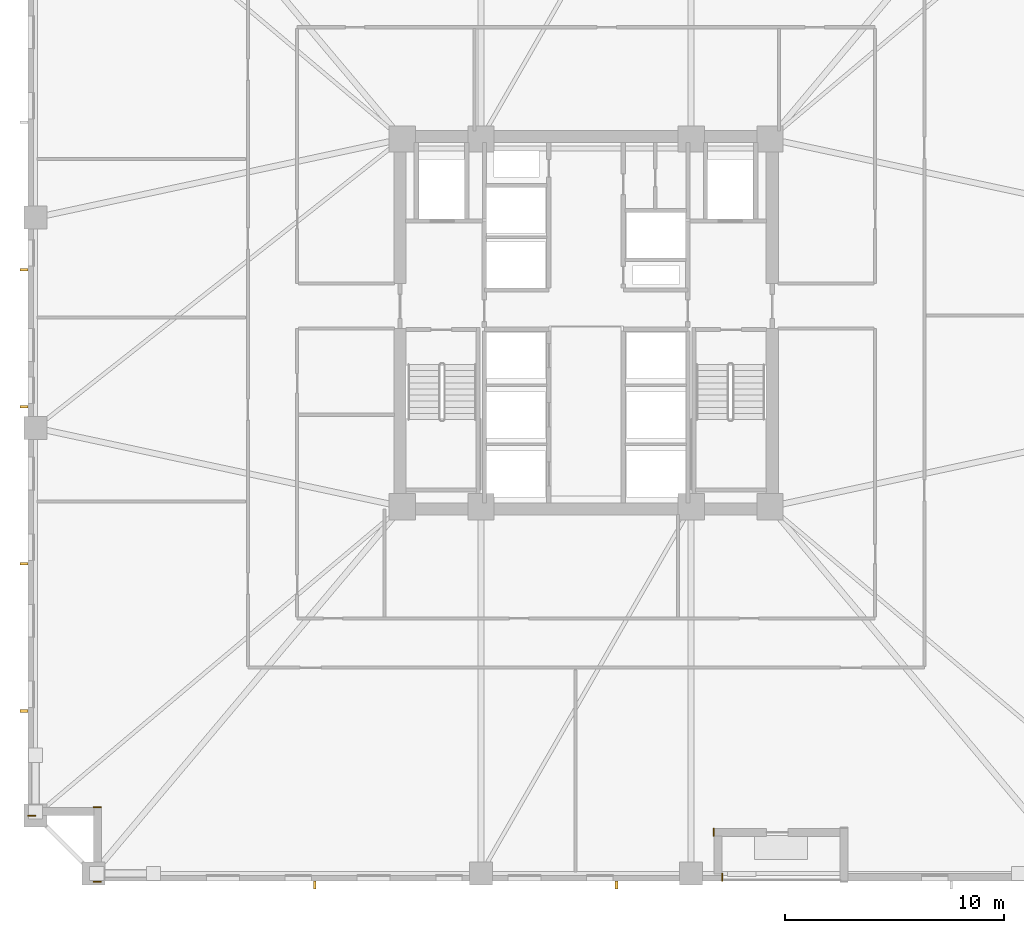
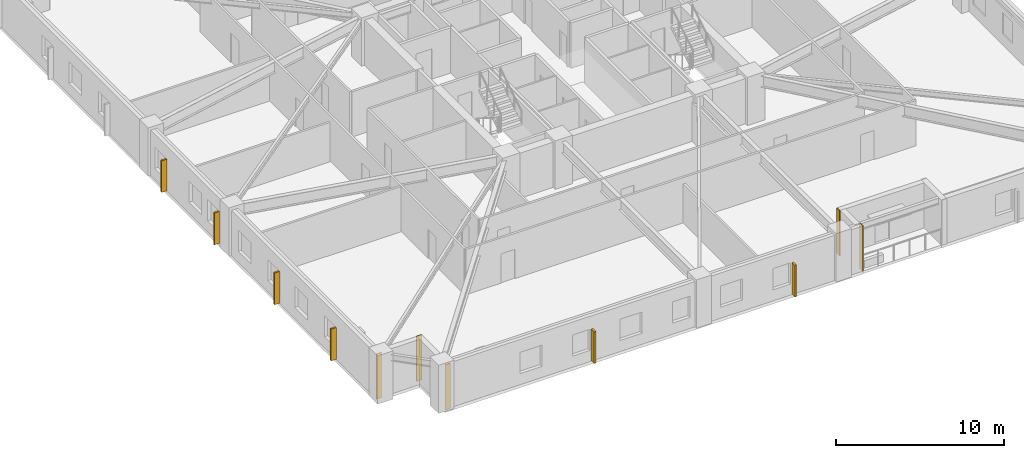
# One storey, part 7 of 11: 6 shading devices, 5 coverings.
"""IFC4 building model written with IfcOpenShell, lengths in metres."""

import ifcopenshell
import ifcopenshell.guid

model = None  # the IFC model being written
_history = None  # IfcOwnerHistory: only IFC2X3 demands one
_inside = {}  # id of a spatial element -> (the spatial element, [elements in it])
_under = {}  # id of a project, library or spatial element -> (it, [spatial elements below it])
_declared = {}  # id of a project -> (the project, [libraries it declares])
_typed = {}  # id of a type object -> (the type object, [elements of that type])
_made_of = {}  # id of a material, layer set ... -> (it, [elements and type objects made of it])


def new_model(schema):
    """Start an empty IFC model of exactly this schema.

    Asked for "IFC4X3", IfcOpenShell would pick the latest addendum, in which some entities
    have other attributes; the version numbers below select the first issue.
    IFC2X3 requires an IfcOwnerHistory on every rooted entity: one is made here for all.
    """
    global model, _history
    if schema == "IFC4X3":
        model = ifcopenshell.file(schema_version=(4, 3, 0, 0))
    else:
        model = ifcopenshell.file(schema=schema)
    _inside.clear()
    _under.clear()
    _declared.clear()
    _typed.clear()
    _made_of.clear()
    _history = None
    if model.schema == "IFC2X3":
        org = make("IfcOrganization", Name="unknown")
        user = make(
            "IfcPersonAndOrganization",
            ThePerson=make("IfcPerson", FamilyName="unknown"),
            TheOrganization=org,
        )
        app = make(
            "IfcApplication",
            ApplicationDeveloper=org,
            Version="unknown",
            ApplicationFullName="unknown",
            ApplicationIdentifier="unknown",
        )
        _history = make(
            "IfcOwnerHistory",
            OwningUser=user,
            OwningApplication=app,
            ChangeAction="ADDED",
            CreationDate=0,
        )
    return model


def make(cls, **values):
    """One entity of the class cls with the attributes given. An attribute that is None is left unset."""
    return model.create_entity(
        cls, **{name: value for name, value in values.items() if value is not None}
    )


def rooted(cls, **values):
    """An entity with a GlobalId (a new one), such as an element, a storey or a relation."""
    return make(cls, GlobalId=ifcopenshell.guid.new(), OwnerHistory=_history, **values)


def si_unit(unit_type, name, prefix=None):
    """IfcSIUnit, for example si_unit("LENGTHUNIT", "METRE", prefix="MILLI")."""
    return make("IfcSIUnit", UnitType=unit_type, Prefix=prefix, Name=name)


def assignment(units):
    """IfcUnitAssignment: the units of a project."""
    return None if units is None else make("IfcUnitAssignment", Units=units)


def point(xyz):
    """IfcCartesianPoint."""
    return None if xyz is None else make("IfcCartesianPoint", Coordinates=xyz)


def direction(xyz):
    """IfcDirection."""
    return None if xyz is None else make("IfcDirection", DirectionRatios=xyz)


def frame(location, z_axis=None, x_axis=None):
    """IfcAxis2Placement3D, a coordinate frame: its origin and axes. An axis left out is left unset."""
    return make(
        "IfcAxis2Placement3D",
        Location=point(location),
        Axis=direction(z_axis),
        RefDirection=direction(x_axis),
    )


def frame_2d(location, x_axis=None):
    """IfcAxis2Placement2D, a coordinate frame in the plane: its origin and x axis."""
    return make(
        "IfcAxis2Placement2D", Location=point(location), RefDirection=direction(x_axis)
    )


def origin():
    """The frame at (0, 0, 0) with its axes left unset."""
    return frame((0.0, 0.0, 0.0))


def origin_2d():
    """The frame at (0, 0) in the plane with its x axis left unset."""
    return frame_2d((0.0, 0.0))


def place(relative_to, where):
    """IfcLocalPlacement: puts the frame where relative to a parent placement (None: the world)."""
    return make(
        "IfcLocalPlacement", PlacementRelTo=relative_to, RelativePlacement=where
    )


def context(
    kind, dimensions, precision=None, world=None, true_north=None, identifier=None
):
    """IfcGeometricRepresentationContext, for example the 3D "Model" context."""
    return make(
        "IfcGeometricRepresentationContext",
        ContextIdentifier=identifier,
        ContextType=kind,
        CoordinateSpaceDimension=dimensions,
        Precision=precision,
        WorldCoordinateSystem=world,
        TrueNorth=true_north,
    )


def subcontext(parent, identifier, kind, view, scale=None):
    """IfcGeometricRepresentationSubContext, for example "Body" below "Model"."""
    return make(
        "IfcGeometricRepresentationSubContext",
        ContextIdentifier=identifier,
        ContextType=kind,
        ParentContext=parent,
        TargetScale=scale,
        TargetView=view,
    )


def project(units=None, contexts=None):
    """IfcProject with its units and contexts."""
    return rooted(
        "IfcProject",
        Name="project",
        RepresentationContexts=contexts,
        UnitsInContext=assignment(units),
    )


def spatial(cls, under=None, at=None, **own):
    """A site, building, storey or space (cls), placed at a placement, below another one or the project."""
    s = rooted(cls, ObjectPlacement=at, **own)
    if under is not None:
        _under.setdefault(under.id(), (under, []))[1].append(s)
    return s


def profile(cls, at=None, kind="AREA", **sizes):
    """A parametric profile (cls). Its sizes go by their IFC names, for example OverallWidth=200.0."""
    return make(cls, ProfileType=kind, Position=at, **sizes)


def rectangle(**sizes):
    """IfcRectangleProfileDef."""
    return profile("IfcRectangleProfileDef", **sizes)


def extrude(swept, where, along, depth):
    """IfcExtrudedAreaSolid: the profile swept, set in the frame where, extruded along a direction by depth."""
    return make(
        "IfcExtrudedAreaSolid",
        SweptArea=swept,
        Position=where,
        ExtrudedDirection=direction(along),
        Depth=depth,
    )


def shape(context_of_items, identifier, shape_type, items):
    """IfcShapeRepresentation: the items that make up one representation, for example the "Body"."""
    return make(
        "IfcShapeRepresentation",
        ContextOfItems=context_of_items,
        RepresentationIdentifier=identifier,
        RepresentationType=shape_type,
        Items=items,
    )


def material(Name=None, Category=None):
    """IfcMaterial."""
    return make("IfcMaterial", Name=Name, Category=Category)


def layer(
    of_material, thickness, ventilated=None, Name=None, Category=None, Priority=None
):
    """IfcMaterialLayer: one layer of a wall or slab, of a material (None: an air gap)."""
    return make(
        "IfcMaterialLayer",
        Material=of_material,
        LayerThickness=thickness,
        IsVentilated=ventilated,
        Name=Name,
        Category=Category,
        Priority=Priority,
    )


def layer_set(layers, Name=None):
    """IfcMaterialLayerSet."""
    return make("IfcMaterialLayerSet", MaterialLayers=layers, LayerSetName=Name)


def made_of(thing, what):
    """Note that an element or type object is made of a material, layer set ...; save() writes the relation."""
    if what is not None:
        _made_of.setdefault(what.id(), (what, []))[1].append(thing)
    return thing


def type_object(cls, material=None, **own):
    """A type object (cls), such as IfcWallType, which elements share."""
    return made_of(rooted(cls, **own), material)


def element(
    cls,
    number,
    at=None,
    inside=None,
    cuts=None,
    type_object=None,
    material=None,
    context=None,
    identifier="Body",
    shape_type=None,
    held_by="IfcProductDefinitionShape",
    body=None,
    shapes=None,
    **own,
):
    """One element of the class cls, such as IfcWall. Its Tag is "e" and its number.

    at: its placement. inside: the storey or other place that contains it. cuts: it is an
    opening in that element (IfcRelVoidsElement). A single representation is given by context,
    identifier, shape_type and body (its items); several are given by shapes. held_by: the class
    of the entity that holds the representations. save() writes the other relations.
    """
    e = rooted(cls, Tag="e%d" % number, ObjectPlacement=at, **own)
    if body is not None:
        shapes = [shape(context, identifier, shape_type, body)]
    if shapes is not None:
        e.Representation = make(held_by, Representations=shapes)
    if inside is not None:
        _inside.setdefault(inside.id(), (inside, []))[1].append(e)
    if cuts is not None:
        rooted(
            "IfcRelVoidsElement", RelatingBuildingElement=cuts, RelatedOpeningElement=e
        )
    if type_object is not None:
        _typed.setdefault(type_object.id(), (type_object, []))[1].append(e)
    return made_of(e, material)


def aggregate(whole, parts):
    """IfcRelAggregates: a whole, such as a stair, and the parts it consists of."""
    return rooted("IfcRelAggregates", RelatingObject=whole, RelatedObjects=parts)


def save(model, path):
    """Write the relations noted so far, then the file.

    IfcRelAggregates (storeys below a building ...), IfcRelContainedInSpatialStructure (elements
    in a storey), IfcRelDefinesByType, IfcRelAssociatesMaterial and IfcRelDeclares: one each for
    every whole, place, type object, material and project.
    """
    for whole, parts in _under.values():
        aggregate(whole, parts)
    for where, things in _inside.values():
        rooted(
            "IfcRelContainedInSpatialStructure",
            RelatedElements=things,
            RelatingStructure=where,
        )
    for kind, things in _typed.values():
        rooted("IfcRelDefinesByType", RelatedObjects=things, RelatingType=kind)
    for what, things in _made_of.values():
        rooted("IfcRelAssociatesMaterial", RelatedObjects=things, RelatingMaterial=what)
    for by, libraries in _declared.values():
        rooted("IfcRelDeclares", RelatingContext=by, RelatedDefinitions=libraries)
    model.write(path)


model = new_model("IFC4")

# Units and contexts
model_context = context("Model", 3, precision=1e-05, world=origin(), true_north=direction((0.0, 1.0)))
body_context = subcontext(model_context, "Body", "Model", "MODEL_VIEW")
ifc_project = project(units=[si_unit("LENGTHUNIT", "METRE"), si_unit("AREAUNIT", "SQUARE_METRE"), si_unit("VOLUMEUNIT", "CUBIC_METRE"), si_unit("PLANEANGLEUNIT", "RADIAN"), si_unit("MASSUNIT", "GRAM", prefix="KILO")], contexts=[model_context])

# Site, building, storey
site_placement = place(None, origin())
site = spatial("IfcSite", under=ifc_project, at=site_placement, CompositionType="ELEMENT")
building_placement = place(site_placement, origin())
building = spatial("IfcBuilding", under=site, at=building_placement, Name="Cairnveth Concourse Tower", CompositionType="ELEMENT")
storey_placement = place(building_placement, frame((0.0, 0.0, 48.0)))
storey = spatial("IfcBuildingStorey", under=building, at=storey_placement, Name="L12", CompositionType="ELEMENT", Elevation=48.0)

# Coverings
ifc_material_1 = material(Name="Dressed Melbourne Bluestone Cladding", Category="masonry")
ifc_layer = layer(ifc_material_1, 0.050048828125)
ifc_layer_set = layer_set([ifc_layer], Name="Dressed Melbourne Bluestone Cladding")
covering_type = type_object("IfcCoveringType", Name="DRESSED BLUESTONE PLINTH CLADDING 50", PredefinedType="CLADDING", material=ifc_layer_set)
for number, where, z_axis, x_axis, name in (
    (1, (58.219970703125, 13.860107421875, 0.0), (0.0, 0.0, 1.0), (0.0, -1.0, 0.0), "Melbourne Bluestone Corner Quoin L12-135"),
    (2, (29.860107421875, 13.47998046875, 0.0), (0.0, 0.0, 1.0), (-1.0, 0.0, 0.0), "Melbourne Bluestone Corner Quoin L12-136"),
    (3, (29.860107421875, 16.8798828125, 0.0), (0.0, 0.0, 1.0), (-1.0, 0.0, 0.0), "Melbourne Bluestone Corner Quoin L12-137"),
    (4, (26.860107421875, 16.47998046875, 0.0), (0.0, 0.0, 1.0), (-1.0, 0.0, 0.0), "Melbourne Bluestone Corner Quoin L12-138"),
):
    element("IfcCovering", number, at=place(storey_placement, frame(where, z_axis=z_axis, x_axis=x_axis)), inside=storey, type_object=covering_type, Name=name, PredefinedType="CLADDING", context=body_context, shape_type="SweptSolid", body=[
        extrude(rectangle(XDim=0.360107421875, YDim=0.050048828125, at=frame_2d((0.18017578125, 0.0))), origin(), (0.0, 0.0, 1.0), 3.280029296875),
    ])
covering_placement = place(storey_placement, frame((57.820068359375, 15.909912109375, 0.0), z_axis=(0.0, 0.0, 1.0), x_axis=(0.0, -1.0, 0.0)))
element("IfcCovering", 5, at=covering_placement, inside=storey, type_object=covering_type, Name="Melbourne Bluestone Corner Quoin L12-150", PredefinedType="CLADDING", context=body_context, shape_type="SweptSolid", body=[
    extrude(rectangle(XDim=0.35986328125, YDim=0.050048828125, at=frame_2d((0.179931640625, 0.0))), origin(), (0.0, 0.0, 1.0), 3.280029296875),
])

# Shading devices
ifc_material_2 = material(Name="Architectural Bronze Anodised Aluminium 6063-T6", Category="aluminium")
shading_device_type = type_object("IfcShadingDeviceType", Name="GOTHIC BRONZE VERTICAL LANCET FIN", PredefinedType="USERDEFINED", material=ifc_material_2)
for number, where, z_axis, x_axis, name in (
    (6, (53.38818359375, 13.324951171875, 0.02978515625), (0.0, 0.0, 1.0), (1.0, 0.0, 0.0), "Gothic Bronze Vertical Fin L12-0-1"),
    (7, (39.613525390625, 13.324951171875, 0.02978515625), (0.0, 0.0, 1.0), (1.0, 0.0, 0.0), "Gothic Bronze Vertical Fin L12-0-5"),
    (8, (26.324951171875, 21.27001953125, 0.02978515625), (0.0, 0.0, 1.0), (0.0, 1.0, 0.0), "Gothic Bronze Vertical Fin L12-3-1"),
    (9, (26.324951171875, 27.990478515625, 0.02978515625), (0.0, 0.0, 1.0), (0.0, 1.0, 0.0), "Gothic Bronze Vertical Fin L12-3-3"),
    (10, (26.324951171875, 35.160888671875, 0.02978515625), (0.0, 0.0, 1.0), (0.0, 1.0, 0.0), "Gothic Bronze Vertical Fin L12-3-5"),
    (11, (26.324951171875, 41.43115234375, 0.02978515625), (0.0, 0.0, 1.0), (0.0, 1.0, 0.0), "Gothic Bronze Vertical Fin L12-3-7"),
):
    element("IfcShadingDevice", number, at=place(storey_placement, frame(where, z_axis=z_axis, x_axis=x_axis)), inside=storey, type_object=shading_device_type, Name=name, ObjectType="VERTICAL FIN", PredefinedType="USERDEFINED", context=body_context, shape_type="SweptSolid", body=[
        extrude(rectangle(XDim=0.1201171875, YDim=0.360107421875, at=origin_2d()), origin(), (0.0, 0.0, 1.0), 2.303955078125),
    ])

save(model, "model.ifc")
